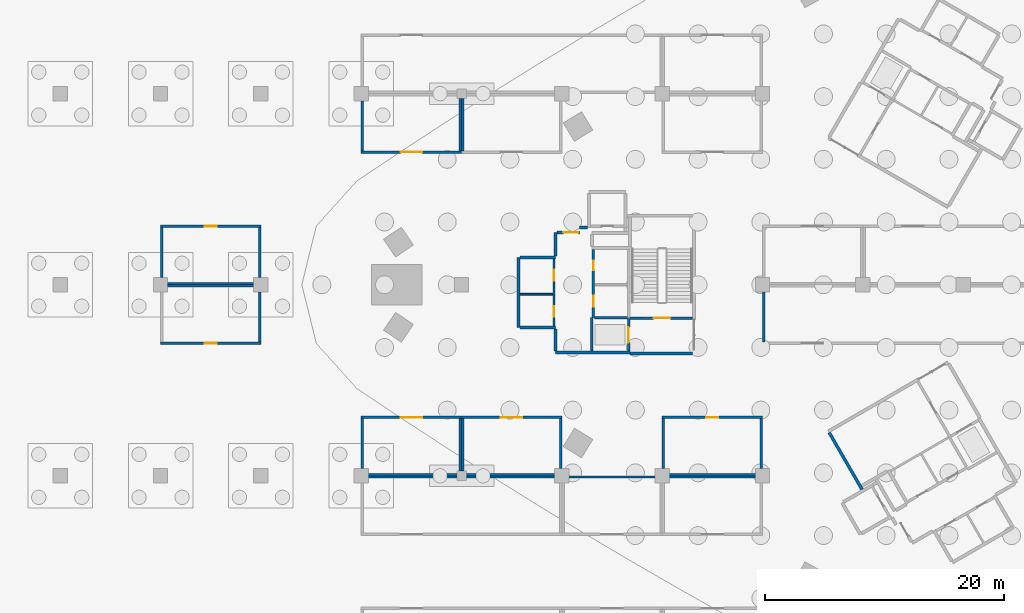
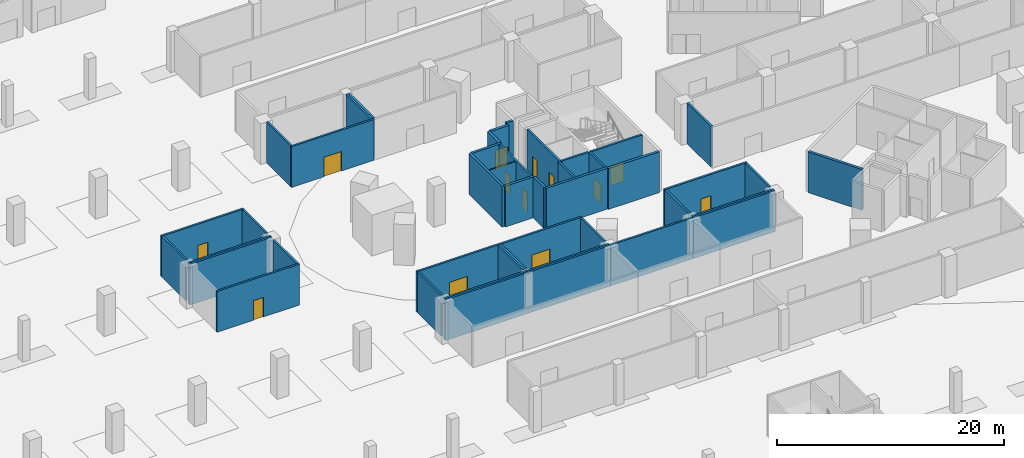
# One storey, part 13 of 46: 44 walls, 13 doors, 13 openings.
"""IFC4 building model written with IfcOpenShell, lengths in metres."""

from ifc_helpers import new_model, si_unit, direction, frame, frame_2d, origin, place, context, subcontext, project, spatial, rectangle, extrude, material, layer, layer_set, type_object, element, fill, save


model = new_model("IFC4")

# Units and contexts
model_context = context("Model", 3, precision=1e-05, world=origin(), true_north=direction((0.0, 1.0)))
body_context = subcontext(model_context, "Body", "Model", "MODEL_VIEW")
ifc_project = project(units=[si_unit("LENGTHUNIT", "METRE"), si_unit("AREAUNIT", "SQUARE_METRE"), si_unit("VOLUMEUNIT", "CUBIC_METRE"), si_unit("PLANEANGLEUNIT", "RADIAN"), si_unit("MASSUNIT", "GRAM", prefix="KILO")], contexts=[model_context])

# Site, building, storey
site_placement = place(None, origin())
site = spatial("IfcSite", under=ifc_project, at=site_placement, CompositionType="ELEMENT")
building_placement = place(site_placement, origin())
building = spatial("IfcBuilding", under=site, at=building_placement, Name="Tamra Quay Hotel Tower", CompositionType="ELEMENT")
storey_placement = place(building_placement, frame((0.0, 0.0, -12.0)))
storey = spatial("IfcBuildingStorey", under=building, at=storey_placement, Name="B3", CompositionType="ELEMENT", Elevation=-12.0)

# Walls
ifc_material_1 = material(Name="Blockwork", Category="masonry")
ifc_layer_1 = layer(ifc_material_1, 0.199951171875)
ifc_layer_set_1 = layer_set([ifc_layer_1], Name="Car park room wall 200")
wall_type_1 = type_object("IfcWallType", Name="Car park room wall 200", PredefinedType="PARTITIONING", material=ifc_layer_set_1)
wall_1_placement = place(storey_placement, frame((-38.699951171875, -16.10009765625, 0.0), z_axis=(0.0, 0.0, 1.0), x_axis=(1.0, 0.0, 0.0)))
element("IfcWall", 1, at=wall_1_placement, inside=storey, type_object=wall_type_1, Name="PW", PredefinedType="PARTITIONING", context=body_context, shape_type="SweptSolid", body=[
    extrude(rectangle(XDim=16.800048828125, YDim=0.199951171875, at=frame_2d((8.39990234375, 0.0))), origin(), (0.0, 0.0, 1.0), 4.39990234375),
])
for number, where, z_axis, x_axis, name in (
    (2, (-21.89990234375, -16.10009765625, 0.0), (0.0, 0.0, 1.0), (1.0, 0.0, 0.0), "PW"),
    (3, (-13.5, -16.10009765625, 0.0), (0.0, 0.0, 1.0), (1.0, 0.0, 0.0), "PW"),
    (4, (-38.699951171875, -15.89990234375, 0.0), (0.0, 0.0, 1.0), (1.0, 0.0, 0.0), "PW"),
):
    element("IfcWall", number, at=place(storey_placement, frame(where, z_axis=z_axis, x_axis=x_axis)), inside=storey, type_object=wall_type_1, Name=name, PredefinedType="PARTITIONING", context=body_context, shape_type="SweptSolid", body=[
        extrude(rectangle(XDim=8.39990234375, YDim=0.199951171875, at=frame_2d((4.199951171875, 0.0))), origin(), (0.0, 0.0, 1.0), 4.39990234375),
    ])

# Wall, opening, door
wall_2_placement = place(storey_placement, frame((-38.699951171875, -11.10009765625, 0.0), z_axis=(0.0, 0.0, 1.0), x_axis=(1.0, 0.0, 0.0)))
wall_2 = element("IfcWall", 5, at=wall_2_placement, inside=storey, type_object=wall_type_1, Name="PW", PredefinedType="PARTITIONING", context=body_context, shape_type="SweptSolid", body=[
    extrude(rectangle(XDim=8.39990234375, YDim=0.199951171875, at=frame_2d((4.199951171875, 0.0))), origin(), (0.0, 0.0, 1.0), 4.39990234375),
])
opening_1_placement = place(wall_2_placement, frame((3.300048828125, 0.0, 0.0)))
opening_1 = element("IfcOpeningElement", 6, at=opening_1_placement, cuts=wall_2, Name="Opening PD2", PredefinedType="OPENING", context=body_context, shape_type="SweptSolid", body=[
    extrude(rectangle(XDim=1.800048828125, YDim=2.10009765625, at=frame_2d((0.89990234375, 1.050048828125))), frame((0.0, 0.10986328125, 0.0), z_axis=(0.0, -1.0, 0.0), x_axis=(1.0, 0.0, 0.0)), (0.0, 0.0, 1.0), 0.219970703125),
])
ifc_material_2 = material(Name="Plant door 1800 x 2100")
door_type_1 = type_object("IfcDoorType", Name="Plant door 1800 x 2100", OperationType="DOUBLE_DOOR_SINGLE_SWING", PredefinedType="DOOR", material=ifc_material_2)
door_1_placement = place(opening_1_placement, origin())
door_1 = element("IfcDoor", 7, at=door_1_placement, inside=storey, type_object=door_type_1, Name="PD2", OperationType="DOUBLE_DOOR_SINGLE_SWING", OverallHeight=2.10009765625, OverallWidth=1.800048828125, PredefinedType="DOOR", context=body_context, shape_type="SweptSolid", body=[
    extrude(rectangle(XDim=1.800048828125, YDim=2.10009765625, at=frame_2d((0.89990234375, 1.050048828125))), frame((0.0, 0.02490234375, 0.0), z_axis=(0.0, -1.0, 0.0), x_axis=(1.0, 0.0, 0.0)), (0.0, 0.0, 1.0), 0.050048828125),
])
fill(opening_1, door_1)

# Walls
wall_3_placement = place(storey_placement, frame((-38.60009765625, -15.39990234375, 0.0), z_axis=(0.0, 0.0, 1.0), x_axis=(0.0, 1.0, 0.0)))
element("IfcWall", 8, at=wall_3_placement, inside=storey, type_object=wall_type_1, Name="PW", PredefinedType="PARTITIONING", context=body_context, shape_type="SweptSolid", body=[
    extrude(rectangle(XDim=4.199951171875, YDim=0.199951171875, at=frame_2d((2.10009765625, 0.0))), origin(), (0.0, 0.0, 1.0), 4.39990234375),
])
wall_4_placement = place(storey_placement, frame((-30.39990234375, -15.60009765625, 0.0), z_axis=(0.0, 0.0, 1.0), x_axis=(0.0, 1.0, 0.0)))
element("IfcWall", 9, at=wall_4_placement, inside=storey, type_object=wall_type_1, Name="PW", PredefinedType="PARTITIONING", context=body_context, shape_type="SweptSolid", body=[
    extrude(rectangle(XDim=4.400146484375, YDim=0.199951171875, at=frame_2d((2.2001953125, 0.0))), origin(), (0.0, 0.0, 1.0), 4.39990234375),
])
wall_5_placement = place(storey_placement, frame((-30.300048828125, -15.89990234375, 0.0), z_axis=(0.0, 0.0, 1.0), x_axis=(1.0, 0.0, 0.0)))
element("IfcWall", 10, at=wall_5_placement, inside=storey, type_object=wall_type_1, Name="PW", PredefinedType="PARTITIONING", context=body_context, shape_type="SweptSolid", body=[
    extrude(rectangle(XDim=8.400146484375, YDim=0.199951171875, at=frame_2d((4.2001953125, 0.0))), origin(), (0.0, 0.0, 1.0), 4.39990234375),
])

# Wall, opening, door
wall_6_placement = place(storey_placement, frame((-30.300048828125, -11.10009765625, 0.0), z_axis=(0.0, 0.0, 1.0), x_axis=(1.0, 0.0, 0.0)))
wall_6 = element("IfcWall", 11, at=wall_6_placement, inside=storey, type_object=wall_type_1, Name="PW", PredefinedType="PARTITIONING", context=body_context, shape_type="SweptSolid", body=[
    extrude(rectangle(XDim=8.400146484375, YDim=0.199951171875, at=frame_2d((4.2001953125, 0.0))), origin(), (0.0, 0.0, 1.0), 4.39990234375),
])
opening_2_placement = place(wall_6_placement, frame((3.300048828125, 0.0, 0.0)))
opening_2 = element("IfcOpeningElement", 12, at=opening_2_placement, cuts=wall_6, Name="Opening PD2", PredefinedType="OPENING", context=body_context, shape_type="SweptSolid", body=[
    extrude(rectangle(XDim=1.800048828125, YDim=2.10009765625, at=frame_2d((0.89990234375, 1.050048828125))), frame((0.0, 0.10986328125, 0.0), z_axis=(0.0, -1.0, 0.0), x_axis=(1.0, 0.0, 0.0)), (0.0, 0.0, 1.0), 0.219970703125),
])
door_2_placement = place(opening_2_placement, origin())
door_2 = element("IfcDoor", 13, at=door_2_placement, inside=storey, type_object=door_type_1, Name="PD2", OperationType="DOUBLE_DOOR_SINGLE_SWING", OverallHeight=2.10009765625, OverallWidth=1.800048828125, PredefinedType="DOOR", context=body_context, shape_type="SweptSolid", body=[
    extrude(rectangle(XDim=1.800048828125, YDim=2.10009765625, at=frame_2d((0.89990234375, 1.050048828125))), frame((0.0, 0.02490234375, 0.0), z_axis=(0.0, -1.0, 0.0), x_axis=(1.0, 0.0, 0.0)), (0.0, 0.0, 1.0), 0.050048828125),
])
fill(opening_2, door_2)

# Walls
wall_7_placement = place(storey_placement, frame((-30.199951171875, -15.60009765625, 0.0), z_axis=(0.0, 0.0, 1.0), x_axis=(0.0, 1.0, 0.0)))
element("IfcWall", 14, at=wall_7_placement, inside=storey, type_object=wall_type_1, Name="PW", PredefinedType="PARTITIONING", context=body_context, shape_type="SweptSolid", body=[
    extrude(rectangle(XDim=4.400146484375, YDim=0.199951171875, at=frame_2d((2.2001953125, 0.0))), origin(), (0.0, 0.0, 1.0), 4.39990234375),
])
wall_8_placement = place(storey_placement, frame((-22.0, -15.39990234375, 0.0), z_axis=(0.0, 0.0, 1.0), x_axis=(0.0, 1.0, 0.0)))
element("IfcWall", 15, at=wall_8_placement, inside=storey, type_object=wall_type_1, Name="PW", PredefinedType="PARTITIONING", context=body_context, shape_type="SweptSolid", body=[
    extrude(rectangle(XDim=4.199951171875, YDim=0.199951171875, at=frame_2d((2.10009765625, 0.0))), origin(), (0.0, 0.0, 1.0), 4.39990234375),
])
wall_9_placement = place(storey_placement, frame((-13.5, -15.89990234375, 0.0), z_axis=(0.0, 0.0, 1.0), x_axis=(1.0, 0.0, 0.0)))
element("IfcWall", 16, at=wall_9_placement, inside=storey, type_object=wall_type_1, Name="PW", PredefinedType="PARTITIONING", context=body_context, shape_type="SweptSolid", body=[
    extrude(rectangle(XDim=8.39990234375, YDim=0.199951171875, at=frame_2d((4.199951171875, 0.0))), origin(), (0.0, 0.0, 1.0), 4.39990234375),
])

# Wall, opening, door
wall_10_placement = place(storey_placement, frame((-13.5, -11.10009765625, 0.0), z_axis=(0.0, 0.0, 1.0), x_axis=(1.0, 0.0, 0.0)))
wall_10 = element("IfcWall", 17, at=wall_10_placement, inside=storey, type_object=wall_type_1, Name="PW", PredefinedType="PARTITIONING", context=body_context, shape_type="SweptSolid", body=[
    extrude(rectangle(XDim=8.39990234375, YDim=0.199951171875, at=frame_2d((4.199951171875, 0.0))), origin(), (0.0, 0.0, 1.0), 4.39990234375),
])
opening_3_placement = place(wall_10_placement, frame((3.699951171875, 0.0, 0.0)))
opening_3 = element("IfcOpeningElement", 18, at=opening_3_placement, cuts=wall_10, Name="Opening PD1", PredefinedType="OPENING", context=body_context, shape_type="SweptSolid", body=[
    extrude(rectangle(XDim=1.0, YDim=2.10009765625, at=frame_2d((0.5, 1.050048828125))), frame((0.0, 0.10986328125, 0.0), z_axis=(0.0, -1.0, 0.0), x_axis=(1.0, 0.0, 0.0)), (0.0, 0.0, 1.0), 0.219970703125),
])
ifc_material_3 = material(Name="Car park door 1000 x 2100")
door_type_2 = type_object("IfcDoorType", Name="Car park door 1000 x 2100", OperationType="NOTDEFINED", PredefinedType="DOOR", material=ifc_material_3)
door_3_placement = place(opening_3_placement, origin())
door_3 = element("IfcDoor", 19, at=door_3_placement, inside=storey, type_object=door_type_2, Name="PD1", OperationType="SINGLE_SWING_LEFT", OverallHeight=2.10009765625, OverallWidth=1.0, PredefinedType="DOOR", context=body_context, shape_type="SweptSolid", body=[
    extrude(rectangle(XDim=1.0, YDim=2.10009765625, at=frame_2d((0.5, 1.050048828125))), frame((0.0, 0.02490234375, 0.0), z_axis=(0.0, -1.0, 0.0), x_axis=(1.0, 0.0, 0.0)), (0.0, 0.0, 1.0), 0.050048828125),
])
fill(opening_3, door_3)

# Walls
for number, where, z_axis, x_axis, name in (
    (20, (-13.39990234375, -15.39990234375, 0.0), (0.0, 0.0, 1.0), (0.0, 1.0, 0.0), "PW"),
    (21, (-5.199951171875, -15.39990234375, 0.0), (0.0, 0.0, 1.0), (0.0, 1.0, 0.0), "PW"),
    (22, (-5.0, -4.800048828125, 0.0), (0.0, 0.0, 1.0), (0.0, 1.0, 0.0), "PW"),
):
    element("IfcWall", number, at=place(storey_placement, frame(where, z_axis=z_axis, x_axis=x_axis)), inside=storey, type_object=wall_type_1, Name=name, PredefinedType="PARTITIONING", context=body_context, shape_type="SweptSolid", body=[
        extrude(rectangle(XDim=4.199951171875, YDim=0.199951171875, at=frame_2d((2.10009765625, 0.0))), origin(), (0.0, 0.0, 1.0), 4.39990234375),
    ])

# Wall, opening, door
wall_11_placement = place(storey_placement, frame((-38.699951171875, 11.10009765625, 0.0), z_axis=(0.0, 0.0, 1.0), x_axis=(1.0, 0.0, 0.0)))
wall_11 = element("IfcWall", 23, at=wall_11_placement, inside=storey, type_object=wall_type_1, Name="PW", PredefinedType="PARTITIONING", context=body_context, shape_type="SweptSolid", body=[
    extrude(rectangle(XDim=8.39990234375, YDim=0.199951171875, at=frame_2d((4.199951171875, 0.0))), origin(), (0.0, 0.0, 1.0), 4.39990234375),
])
opening_4_placement = place(wall_11_placement, frame((3.300048828125, 0.0, 0.0)))
opening_4 = element("IfcOpeningElement", 24, at=opening_4_placement, cuts=wall_11, Name="Opening PD2", PredefinedType="OPENING", context=body_context, shape_type="SweptSolid", body=[
    extrude(rectangle(XDim=1.800048828125, YDim=2.10009765625, at=frame_2d((0.89990234375, 1.050048828125))), frame((0.0, 0.10986328125, 0.0), z_axis=(0.0, -1.0, 0.0), x_axis=(1.0, 0.0, 0.0)), (0.0, 0.0, 1.0), 0.219970703125),
])
door_4_placement = place(opening_4_placement, origin())
door_4 = element("IfcDoor", 25, at=door_4_placement, inside=storey, type_object=door_type_1, Name="PD2", OperationType="DOUBLE_DOOR_SINGLE_SWING", OverallHeight=2.10009765625, OverallWidth=1.800048828125, PredefinedType="DOOR", context=body_context, shape_type="SweptSolid", body=[
    extrude(rectangle(XDim=1.800048828125, YDim=2.10009765625, at=frame_2d((0.89990234375, 1.050048828125))), frame((0.0, 0.02490234375, 0.0), z_axis=(0.0, -1.0, 0.0), x_axis=(1.0, 0.0, 0.0)), (0.0, 0.0, 1.0), 0.050048828125),
])
fill(opening_4, door_4)

# Walls
wall_12_placement = place(storey_placement, frame((-38.60009765625, 11.199951171875, 0.0), z_axis=(0.0, 0.0, 1.0), x_axis=(0.0, 1.0, 0.0)))
element("IfcWall", 26, at=wall_12_placement, inside=storey, type_object=wall_type_1, Name="PW", PredefinedType="PARTITIONING", context=body_context, shape_type="SweptSolid", body=[
    extrude(rectangle(XDim=4.199951171875, YDim=0.199951171875, at=frame_2d((2.10009765625, 0.0))), origin(), (0.0, 0.0, 1.0), 4.39990234375),
])
for number, where, z_axis, x_axis, name in (
    (27, (-30.39990234375, 11.199951171875, 0.0), (0.0, 0.0, 1.0), (0.0, 1.0, 0.0), "PW"),
    (28, (-30.199951171875, 11.199951171875, 0.0), (0.0, 0.0, 1.0), (0.0, 1.0, 0.0), "PW"),
):
    element("IfcWall", number, at=place(storey_placement, frame(where, z_axis=z_axis, x_axis=x_axis)), inside=storey, type_object=wall_type_1, Name=name, PredefinedType="PARTITIONING", context=body_context, shape_type="SweptSolid", body=[
        extrude(rectangle(XDim=4.400146484375, YDim=0.199951171875, at=frame_2d((2.2001953125, 0.0))), origin(), (0.0, 0.0, 1.0), 4.39990234375),
    ])

# Wall, opening, door
wall_13_placement = place(storey_placement, frame((-55.5, -4.89990234375, 0.0), z_axis=(0.0, 0.0, 1.0), x_axis=(1.0, 0.0, 0.0)))
wall_13 = element("IfcWall", 29, at=wall_13_placement, inside=storey, type_object=wall_type_1, Name="PW", PredefinedType="PARTITIONING", context=body_context, shape_type="SweptSolid", body=[
    extrude(rectangle(XDim=8.39990234375, YDim=0.199951171875, at=frame_2d((4.199951171875, 0.0))), origin(), (0.0, 0.0, 1.0), 4.39990234375),
])
opening_5_placement = place(wall_13_placement, frame((3.699951171875, 0.0, 0.0)))
opening_5 = element("IfcOpeningElement", 30, at=opening_5_placement, cuts=wall_13, Name="Opening PD1", PredefinedType="OPENING", context=body_context, shape_type="SweptSolid", body=[
    extrude(rectangle(XDim=1.0, YDim=2.10009765625, at=frame_2d((0.5, 1.050048828125))), frame((0.0, 0.10986328125, 0.0), z_axis=(0.0, -1.0, 0.0), x_axis=(1.0, 0.0, 0.0)), (0.0, 0.0, 1.0), 0.219970703125),
])
door_5_placement = place(opening_5_placement, origin())
door_5 = element("IfcDoor", 31, at=door_5_placement, inside=storey, type_object=door_type_2, Name="PD1", OperationType="SINGLE_SWING_LEFT", OverallHeight=2.10009765625, OverallWidth=1.0, PredefinedType="DOOR", context=body_context, shape_type="SweptSolid", body=[
    extrude(rectangle(XDim=1.0, YDim=2.10009765625, at=frame_2d((0.5, 1.050048828125))), frame((0.0, 0.02490234375, 0.0), z_axis=(0.0, -1.0, 0.0), x_axis=(1.0, 0.0, 0.0)), (0.0, 0.0, 1.0), 0.050048828125),
])
fill(opening_5, door_5)

# Walls
wall_14_placement = place(storey_placement, frame((-55.5, -0.10009765625, 0.0), z_axis=(0.0, 0.0, 1.0), x_axis=(1.0, 0.0, 0.0)))
element("IfcWall", 32, at=wall_14_placement, inside=storey, type_object=wall_type_1, Name="PW", PredefinedType="PARTITIONING", context=body_context, shape_type="SweptSolid", body=[
    extrude(rectangle(XDim=8.39990234375, YDim=0.199951171875, at=frame_2d((4.199951171875, 0.0))), origin(), (0.0, 0.0, 1.0), 4.39990234375),
])
wall_15_placement = place(storey_placement, frame((-47.199951171875, -4.800048828125, 0.0), z_axis=(0.0, 0.0, 1.0), x_axis=(0.0, 1.0, 0.0)))
element("IfcWall", 33, at=wall_15_placement, inside=storey, type_object=wall_type_1, Name="PW", PredefinedType="PARTITIONING", context=body_context, shape_type="SweptSolid", body=[
    extrude(rectangle(XDim=4.199951171875, YDim=0.199951171875, at=frame_2d((2.10009765625, 0.0))), origin(), (0.0, 0.0, 1.0), 4.39990234375),
])
wall_16_placement = place(storey_placement, frame((-55.5, 0.10009765625, 0.0), z_axis=(0.0, 0.0, 1.0), x_axis=(1.0, 0.0, 0.0)))
element("IfcWall", 34, at=wall_16_placement, inside=storey, type_object=wall_type_1, Name="PW", PredefinedType="PARTITIONING", context=body_context, shape_type="SweptSolid", body=[
    extrude(rectangle(XDim=8.39990234375, YDim=0.199951171875, at=frame_2d((4.199951171875, 0.0))), origin(), (0.0, 0.0, 1.0), 4.39990234375),
])

# Wall, opening, door
wall_17_placement = place(storey_placement, frame((-55.5, 4.89990234375, 0.0), z_axis=(0.0, 0.0, 1.0), x_axis=(1.0, 0.0, 0.0)))
wall_17 = element("IfcWall", 35, at=wall_17_placement, inside=storey, type_object=wall_type_1, Name="PW", PredefinedType="PARTITIONING", context=body_context, shape_type="SweptSolid", body=[
    extrude(rectangle(XDim=8.39990234375, YDim=0.199951171875, at=frame_2d((4.199951171875, 0.0))), origin(), (0.0, 0.0, 1.0), 4.39990234375),
])
opening_6_placement = place(wall_17_placement, frame((3.699951171875, 0.0, 0.0)))
opening_6 = element("IfcOpeningElement", 36, at=opening_6_placement, cuts=wall_17, Name="Opening PD1", PredefinedType="OPENING", context=body_context, shape_type="SweptSolid", body=[
    extrude(rectangle(XDim=1.0, YDim=2.10009765625, at=frame_2d((0.5, 1.050048828125))), frame((0.0, 0.10986328125, 0.0), z_axis=(0.0, -1.0, 0.0), x_axis=(1.0, 0.0, 0.0)), (0.0, 0.0, 1.0), 0.219970703125),
])
door_6_placement = place(opening_6_placement, origin())
door_6 = element("IfcDoor", 37, at=door_6_placement, inside=storey, type_object=door_type_2, Name="PD1", OperationType="SINGLE_SWING_LEFT", OverallHeight=2.10009765625, OverallWidth=1.0, PredefinedType="DOOR", context=body_context, shape_type="SweptSolid", body=[
    extrude(rectangle(XDim=1.0, YDim=2.10009765625, at=frame_2d((0.5, 1.050048828125))), frame((0.0, 0.02490234375, 0.0), z_axis=(0.0, -1.0, 0.0), x_axis=(1.0, 0.0, 0.0)), (0.0, 0.0, 1.0), 0.050048828125),
])
fill(opening_6, door_6)

# Walls
for number, where, z_axis, x_axis, name in (
    (38, (-55.39990234375, 0.60009765625, 0.0), (0.0, 0.0, 1.0), (0.0, 1.0, 0.0), "PW"),
    (39, (-47.199951171875, 0.60009765625, 0.0), (0.0, 0.0, 1.0), (0.0, 1.0, 0.0), "PW"),
):
    element("IfcWall", number, at=place(storey_placement, frame(where, z_axis=z_axis, x_axis=x_axis)), inside=storey, type_object=wall_type_1, Name=name, PredefinedType="PARTITIONING", context=body_context, shape_type="SweptSolid", body=[
        extrude(rectangle(XDim=4.199951171875, YDim=0.199951171875, at=frame_2d((2.10009765625, 0.0))), origin(), (0.0, 0.0, 1.0), 4.39990234375),
    ])

# Wall, openings, doors
ifc_material_4 = material(Name="Concrete M70", Category="concrete")
ifc_layer_2 = layer(ifc_material_4, 0.199951171875)
ifc_layer_set_2 = layer_set([ifc_layer_2], Name="Concrete M70 core wall 200")
wall_type_2 = type_object("IfcWallType", Name="Concrete M70 core wall 200", PredefinedType="SHEAR", material=ifc_layer_set_2)
wall_18_placement = place(storey_placement, frame((-22.5625, -3.448974609375, 0.0), z_axis=(0.0, 0.0, 1.0), x_axis=(0.0, 1.0, 0.0)))
wall_18 = element("IfcWall", 40, at=wall_18_placement, inside=storey, type_object=wall_type_2, Name="CW2", PredefinedType="SHEAR", context=body_context, shape_type="SweptSolid", body=[
    extrude(rectangle(XDim=5.597900390625, YDim=0.199951171875, at=frame_2d((2.798828125, 0.0))), origin(), (0.0, 0.0, 1.0), 4.39990234375),
])
opening_7_placement = place(wall_18_placement, frame((3.798828125, 0.0, 0.0)))
opening_7 = element("IfcOpeningElement", 41, at=opening_7_placement, cuts=wall_18, Name="Opening D2", PredefinedType="OPENING", context=body_context, shape_type="SweptSolid", body=[
    extrude(rectangle(XDim=0.89990234375, YDim=2.10009765625, at=frame_2d((0.449951171875, 1.050048828125))), frame((0.0, 0.10986328125, 0.0), z_axis=(0.0, -1.0, 0.0), x_axis=(1.0, 0.0, 0.0)), (0.0, 0.0, 1.0), 0.219970703125),
])
opening_8_placement = place(wall_18_placement, frame((0.748779296875, 0.0, 0.0)))
opening_8 = element("IfcOpeningElement", 42, at=opening_8_placement, cuts=wall_18, Name="Opening D2", PredefinedType="OPENING", context=body_context, shape_type="SweptSolid", body=[
    extrude(rectangle(XDim=0.89990234375, YDim=2.10009765625, at=frame_2d((0.449951171875, 1.050048828125))), frame((0.0, 0.10986328125, 0.0), z_axis=(0.0, -1.0, 0.0), x_axis=(1.0, 0.0, 0.0)), (0.0, 0.0, 1.0), 0.219970703125),
])
ifc_material_5 = material(Name="Core door D2 900x2100 LH")
door_type_3 = type_object("IfcDoorType", Name="Core door D2 900x2100 LH", OperationType="NOTDEFINED", PredefinedType="DOOR", material=ifc_material_5)
door_7_placement = place(opening_7_placement, origin())
door_7 = element("IfcDoor", 43, at=door_7_placement, inside=storey, type_object=door_type_3, Name="D2", OperationType="SINGLE_SWING_LEFT", OverallHeight=2.10009765625, OverallWidth=0.89990234375, PredefinedType="DOOR", context=body_context, shape_type="SweptSolid", body=[
    extrude(rectangle(XDim=0.89990234375, YDim=2.10009765625, at=frame_2d((0.449951171875, 1.050048828125))), frame((0.0, 0.02490234375, 0.0), z_axis=(0.0, -1.0, 0.0), x_axis=(1.0, 0.0, 0.0)), (0.0, 0.0, 1.0), 0.050048828125),
])
fill(opening_7, door_7)
ifc_material_6 = material(Name="Core door D2 900x2100 RH")
door_type_4 = type_object("IfcDoorType", Name="Core door D2 900x2100 RH", OperationType="NOTDEFINED", PredefinedType="DOOR", material=ifc_material_6)
door_8_placement = place(opening_8_placement, origin())
door_8 = element("IfcDoor", 44, at=door_8_placement, inside=storey, type_object=door_type_4, Name="D2", OperationType="SINGLE_SWING_RIGHT", OverallHeight=2.10009765625, OverallWidth=0.89990234375, PredefinedType="DOOR", context=body_context, shape_type="SweptSolid", body=[
    extrude(rectangle(XDim=0.89990234375, YDim=2.10009765625, at=frame_2d((0.449951171875, 1.050048828125))), frame((0.0, 0.02490234375, 0.0), z_axis=(0.0, -1.0, 0.0), x_axis=(1.0, 0.0, 0.0)), (0.0, 0.0, 1.0), 0.050048828125),
])
fill(opening_8, door_8)

wall_19_placement = place(storey_placement, frame((-19.26220703125, 2.948974609375, 0.0), z_axis=(0.0, 0.0, 1.0), x_axis=(0.0, -1.0, 0.0)))
wall_19 = element("IfcWall", 45, at=wall_19_placement, inside=storey, type_object=wall_type_2, Name="CW2", PredefinedType="SHEAR", context=body_context, shape_type="SweptSolid", body=[
    extrude(rectangle(XDim=5.698974609375, YDim=0.199951171875, at=frame_2d((2.849609375, 0.0))), origin(), (0.0, 0.0, 1.0), 4.39990234375),
])
opening_9_placement = place(wall_19_placement, frame((0.948974609375, 0.0, 0.0)))
opening_9 = element("IfcOpeningElement", 46, at=opening_9_placement, cuts=wall_19, Name="Opening D3", PredefinedType="OPENING", context=body_context, shape_type="SweptSolid", body=[
    extrude(rectangle(XDim=0.800048828125, YDim=2.10009765625, at=frame_2d((0.39990234375, 1.050048828125))), frame((0.0, 0.10986328125, 0.0), z_axis=(0.0, -1.0, 0.0), x_axis=(1.0, 0.0, 0.0)), (0.0, 0.0, 1.0), 0.219970703125),
])
opening_10_placement = place(wall_19_placement, frame((3.8740234375, 0.0, 0.0)))
opening_10 = element("IfcOpeningElement", 47, at=opening_10_placement, cuts=wall_19, Name="Opening D2", PredefinedType="OPENING", context=body_context, shape_type="SweptSolid", body=[
    extrude(rectangle(XDim=0.89990234375, YDim=2.10009765625, at=frame_2d((0.449951171875, 1.050048828125))), frame((0.0, 0.10986328125, 0.0), z_axis=(0.0, -1.0, 0.0), x_axis=(1.0, 0.0, 0.0)), (0.0, 0.0, 1.0), 0.219970703125),
])
door_9_placement = place(opening_10_placement, origin())
door_9 = element("IfcDoor", 48, at=door_9_placement, inside=storey, type_object=door_type_4, Name="D2", OperationType="SINGLE_SWING_RIGHT", OverallHeight=2.10009765625, OverallWidth=0.89990234375, PredefinedType="DOOR", context=body_context, shape_type="SweptSolid", body=[
    extrude(rectangle(XDim=0.89990234375, YDim=2.10009765625, at=frame_2d((0.449951171875, 1.050048828125))), frame((0.0, 0.02490234375, 0.0), z_axis=(0.0, -1.0, 0.0), x_axis=(1.0, 0.0, 0.0)), (0.0, 0.0, 1.0), 0.050048828125),
])
fill(opening_10, door_9)
ifc_material_7 = material(Name="Core door D3 800x2100 LH")
door_type_5 = type_object("IfcDoorType", Name="Core door D3 800x2100 LH", OperationType="NOTDEFINED", PredefinedType="DOOR", material=ifc_material_7)
door_10_placement = place(opening_9_placement, origin())
door_10 = element("IfcDoor", 49, at=door_10_placement, inside=storey, type_object=door_type_5, Name="D3", OperationType="SINGLE_SWING_LEFT", OverallHeight=2.10009765625, OverallWidth=0.800048828125, PredefinedType="DOOR", context=body_context, shape_type="SweptSolid", body=[
    extrude(rectangle(XDim=0.800048828125, YDim=2.10009765625, at=frame_2d((0.39990234375, 1.050048828125))), frame((0.0, 0.02490234375, 0.0), z_axis=(0.0, -1.0, 0.0), x_axis=(1.0, 0.0, 0.0)), (0.0, 0.0, 1.0), 0.050048828125),
])
fill(opening_9, door_10)

# Wall, opening, door
wall_20_placement = place(storey_placement, frame((-10.96337890625, -2.800048828125, 0.0), z_axis=(0.0, 0.0, 1.0), x_axis=(-1.0, 0.0, 0.0)))
wall_20 = element("IfcWall", 50, at=wall_20_placement, inside=storey, type_object=wall_type_2, Name="CW2", PredefinedType="SHEAR", context=body_context, shape_type="SweptSolid", body=[
    extrude(rectangle(XDim=5.2509765625, YDim=0.199951171875, at=frame_2d((2.62548828125, 0.0))), origin(), (0.0, 0.0, 1.0), 4.39990234375),
])
opening_11_placement = place(wall_20_placement, frame((1.84912109375, 0.0, 0.0)))
opening_11 = element("IfcOpeningElement", 51, at=opening_11_placement, cuts=wall_20, Name="Opening FD2", PredefinedType="OPENING", context=body_context, shape_type="SweptSolid", body=[
    extrude(rectangle(XDim=1.39990234375, YDim=2.10009765625, at=frame_2d((0.699951171875, 1.050048828125))), frame((0.0, 0.10986328125, 0.0), z_axis=(0.0, -1.0, 0.0), x_axis=(1.0, 0.0, 0.0)), (0.0, 0.0, 1.0), 0.219970703125),
])
ifc_material_8 = material(Name="Core door FD2 1400x2100 RH")
door_type_6 = type_object("IfcDoorType", Name="Core door FD2 1400x2100 RH", OperationType="NOTDEFINED", PredefinedType="DOOR", material=ifc_material_8)
door_11_placement = place(opening_11_placement, origin())
door_11 = element("IfcDoor", 52, at=door_11_placement, inside=storey, type_object=door_type_6, Name="FD2", OperationType="SINGLE_SWING_RIGHT", OverallHeight=2.10009765625, OverallWidth=1.39990234375, PredefinedType="DOOR", context=body_context, shape_type="SweptSolid", body=[
    extrude(rectangle(XDim=1.39990234375, YDim=2.10009765625, at=frame_2d((0.699951171875, 1.050048828125))), frame((0.0, 0.02490234375, 0.0), z_axis=(0.0, -1.0, 0.0), x_axis=(1.0, 0.0, 0.0)), (0.0, 0.0, 1.0), 0.050048828125),
])
fill(opening_11, door_11)

# Wall
wall_21_placement = place(storey_placement, frame((-19.162109375, -2.75, 0.0), z_axis=(0.0, 0.0, 1.0), x_axis=(1.0, 0.0, 0.0)))
element("IfcWall", 53, at=wall_21_placement, inside=storey, type_object=wall_type_2, Name="CW2", PredefinedType="SHEAR", context=body_context, shape_type="SweptSolid", body=[
    extrude(rectangle(XDim=2.749755859375, YDim=0.199951171875, at=frame_2d((1.375, 0.0))), origin(), (0.0, 0.0, 1.0), 4.39990234375),
])

# Wall, opening, door
wall_22_placement = place(storey_placement, frame((-16.312255859375, -2.80712890625, 0.0), z_axis=(0.0, 0.0, 1.0), x_axis=(0.0, -1.0, 0.0)))
wall_22 = element("IfcWall", 54, at=wall_22_placement, inside=storey, type_object=wall_type_2, Name="CW2", PredefinedType="SHEAR", context=body_context, shape_type="SweptSolid", body=[
    extrude(rectangle(XDim=2.741943359375, YDim=0.199951171875, at=frame_2d((1.37109375, 0.0))), origin(), (0.0, 0.0, 1.0), 4.39990234375),
])
opening_12_placement = place(wall_22_placement, frame((0.742919921875, 0.0, 0.0)))
opening_12 = element("IfcOpeningElement", 55, at=opening_12_placement, cuts=wall_22, Name="Opening LD", PredefinedType="OPENING", context=body_context, shape_type="SweptSolid", body=[
    extrude(rectangle(XDim=1.300048828125, YDim=2.10009765625, at=frame_2d((0.64990234375, 1.050048828125))), frame((0.0, 0.10986328125, 0.0), z_axis=(0.0, -1.0, 0.0), x_axis=(1.0, 0.0, 0.0)), (0.0, 0.0, 1.0), 0.219970703125),
])
ifc_material_9 = material(Name="Landing door LD 1300 sliding to right")
door_type_7 = type_object("IfcDoorType", Name="Landing door LD 1300 sliding to right", OperationType="NOTDEFINED", PredefinedType="DOOR", material=ifc_material_9)
door_12_placement = place(opening_12_placement, origin())
door_12 = element("IfcDoor", 56, at=door_12_placement, inside=storey, type_object=door_type_7, Name="LD", OperationType="SLIDING_TO_RIGHT", OverallHeight=2.10009765625, OverallWidth=1.300048828125, PredefinedType="DOOR", context=body_context, shape_type="SweptSolid", body=[
    extrude(rectangle(XDim=1.300048828125, YDim=2.10009765625, at=frame_2d((0.64990234375, 1.050048828125))), frame((0.0, 0.02490234375, 0.0), z_axis=(0.0, -1.0, 0.0), x_axis=(1.0, 0.0, 0.0)), (0.0, 0.0, 1.0), 0.050048828125),
])
fill(opening_12, door_12)

# Walls
wall_23_placement = place(storey_placement, frame((-19.412353515625, -5.549072265625, 0.0), z_axis=(0.0, 0.0, 1.0), x_axis=(0.0, 1.0, 0.0)))
element("IfcWall", 57, at=wall_23_placement, inside=storey, type_object=wall_type_2, Name="CW2", PredefinedType="SHEAR", context=body_context, shape_type="SweptSolid", body=[
    extrude(rectangle(XDim=2.799072265625, YDim=0.199951171875, at=frame_2d((1.3994140625, 0.0))), origin(), (0.0, 0.0, 1.0), 4.39990234375),
])
ifc_layer_3 = layer(ifc_material_4, 0.25)
ifc_layer_set_3 = layer_set([ifc_layer_3], Name="Concrete M70 core wall 250")
wall_type_3 = type_object("IfcWallType", Name="Concrete M70 core wall 250", PredefinedType="SHEAR", material=ifc_layer_set_3)
wall_24_placement = place(storey_placement, frame((-16.187255859375, -5.675048828125, 0.0), z_axis=(0.0, 0.0, 1.0), x_axis=(-1.0, 0.0, 0.0)))
element("IfcWall", 58, at=wall_24_placement, inside=storey, type_object=wall_type_3, Name="CW1", PredefinedType="SHEAR", context=body_context, shape_type="SweptSolid", body=[
    extrude(rectangle(XDim=6.25, YDim=0.25, at=frame_2d((3.125, 0.0))), origin(), (0.0, 0.0, 1.0), 4.39990234375),
])
wall_25_placement = place(storey_placement, frame((-25.537353515625, -3.574951171875, 0.0), z_axis=(0.0, 0.0, 1.0), x_axis=(0.0, 1.0, 0.0)))
element("IfcWall", 59, at=wall_25_placement, inside=storey, type_object=wall_type_3, Name="CW1", PredefinedType="SHEAR", context=body_context, shape_type="SweptSolid", body=[
    extrude(rectangle(XDim=5.849853515625, YDim=0.25, at=frame_2d((2.9248046875, 0.0))), origin(), (0.0, 0.0, 1.0), 4.39990234375),
])
wall_26_placement = place(storey_placement, frame((-10.962646484375, -5.77490234375, 0.0), z_axis=(0.0, 0.0, 1.0), x_axis=(-1.0, 0.0, 0.0)))
element("IfcWall", 60, at=wall_26_placement, inside=storey, type_object=wall_type_3, Name="CW1", PredefinedType="SHEAR", context=body_context, shape_type="SweptSolid", body=[
    extrude(rectangle(XDim=5.224609375, YDim=0.25, at=frame_2d((2.6123046875, 0.0))), origin(), (0.0, 0.0, 1.0), 4.39990234375),
])
for number, where, z_axis, x_axis, name in (
    (61, (-22.437255859375, -3.574951171875, 0.0), (0.0, 0.0, 1.0), (-1.0, 0.0, 0.0), "CW1"),
    (62, (-25.411865234375, 2.27490234375, 0.0), (0.0, 0.0, 1.0), (1.0, 0.0, 0.0), "CW1"),
):
    element("IfcWall", number, at=place(storey_placement, frame(where, z_axis=z_axis, x_axis=x_axis)), inside=storey, type_object=wall_type_3, Name=name, PredefinedType="SHEAR", context=body_context, shape_type="SweptSolid", body=[
        extrude(rectangle(XDim=2.974609375, YDim=0.25, at=frame_2d((1.4873046875, 0.0))), origin(), (0.0, 0.0, 1.0), 4.39990234375),
    ])
wall_27_placement = place(storey_placement, frame((-22.437255859375, 2.400390625, 0.0), z_axis=(0.0, 0.0, 1.0), x_axis=(0.0, 1.0, 0.0)))
element("IfcWall", 63, at=wall_27_placement, inside=storey, type_object=wall_type_3, Name="CW1", PredefinedType="SHEAR", context=body_context, shape_type="SweptSolid", body=[
    extrude(rectangle(XDim=1.974609375, YDim=0.25, at=frame_2d((0.9873046875, 0.0))), origin(), (0.0, 0.0, 1.0), 4.39990234375),
])
wall_28_placement = place(storey_placement, frame((-22.437255859375, -5.549560546875, 0.0), z_axis=(0.0, 0.0, 1.0), x_axis=(0.0, 1.0, 0.0)))
element("IfcWall", 64, at=wall_28_placement, inside=storey, type_object=wall_type_3, Name="CW1", PredefinedType="SHEAR", context=body_context, shape_type="SweptSolid", body=[
    extrude(rectangle(XDim=1.84912109375, YDim=0.25, at=frame_2d((0.924560546875, 0.0))), origin(), (0.0, 0.0, 1.0), 4.39990234375),
])

# Wall, opening, door
wall_29_placement = place(storey_placement, frame((-22.311767578125, 4.375, 0.0), z_axis=(0.0, 0.0, 1.0), x_axis=(1.0, 0.0, 0.0)))
wall_29 = element("IfcWall", 65, at=wall_29_placement, inside=storey, type_object=wall_type_3, Name="CW1", PredefinedType="SHEAR", context=body_context, shape_type="SweptSolid", body=[
    extrude(rectangle(XDim=1.864501953125, YDim=0.25, at=frame_2d((0.93212890625, 0.0))), origin(), (0.0, 0.0, 1.0), 4.39990234375),
])
opening_13_placement = place(wall_29_placement, frame((0.53466796875, 0.0, 0.0)))
opening_13 = element("IfcOpeningElement", 66, at=opening_13_placement, cuts=wall_29, Name="Opening FD3", PredefinedType="OPENING", context=body_context, shape_type="SweptSolid", body=[
    extrude(rectangle(XDim=1.25, YDim=2.10009765625, at=frame_2d((0.625, 1.050048828125))), frame((0.0, 0.135009765625, 0.0), z_axis=(0.0, -1.0, 0.0), x_axis=(1.0, 0.0, 0.0)), (0.0, 0.0, 1.0), 0.27001953125),
])
ifc_material_10 = material(Name="Core door FD3 1250x2100 LH")
door_type_8 = type_object("IfcDoorType", Name="Core door FD3 1250x2100 LH", OperationType="NOTDEFINED", PredefinedType="DOOR", material=ifc_material_10)
door_13_placement = place(opening_13_placement, origin())
door_13 = element("IfcDoor", 67, at=door_13_placement, inside=storey, type_object=door_type_8, Name="FD3", OperationType="SINGLE_SWING_LEFT", OverallHeight=2.10009765625, OverallWidth=1.25, PredefinedType="DOOR", context=body_context, shape_type="SweptSolid", body=[
    extrude(rectangle(XDim=1.25, YDim=2.10009765625, at=frame_2d((0.625, 1.050048828125))), frame((0.0, 0.02490234375, 0.0), z_axis=(0.0, -1.0, 0.0), x_axis=(1.0, 0.0, 0.0)), (0.0, 0.0, 1.0), 0.050048828125),
])
fill(opening_13, door_13)

# Walls
wall_30_placement = place(storey_placement, frame((-20.447265625, 4.784912109375, 0.0), z_axis=(0.0, 0.0, 1.0), x_axis=(1.0, 0.0, 0.0)))
element("IfcWall", 68, at=wall_30_placement, inside=storey, type_object=wall_type_3, Name="CW1", PredefinedType="SHEAR", context=body_context, shape_type="SweptSolid", body=[
    extrude(rectangle(XDim=0.6845703125, YDim=0.25, at=frame_2d((0.34228515625, 0.0))), origin(), (0.0, 0.0, 1.0), 4.39990234375),
])
wall_31_placement = place(storey_placement, frame((3.23486328125, -17.15283203125, 0.0), z_axis=(0.0, 0.0, 1.0), x_axis=(-0.500008851346, 0.866020293397, 0.0)))
element("IfcWall", 69, at=wall_31_placement, inside=storey, type_object=wall_type_3, Name="CW1", PredefinedType="SHEAR", context=body_context, shape_type="SweptSolid", body=[
    extrude(rectangle(XDim=5.509765625, YDim=0.25, at=frame_2d((2.7548828125, 0.0))), origin(), (0.0, 0.0, 1.0), 4.39990234375),
])
ifc_layer_4 = layer(ifc_material_1, 0.14990234375)
ifc_layer_set_4 = layer_set([ifc_layer_4], Name="Core partition block 150")
wall_type_4 = type_object("IfcWallType", Name="Core partition block 150", PredefinedType="PARTITIONING", material=ifc_layer_set_4)
wall_32_placement = place(storey_placement, frame((-22.6630859375, -0.800048828125, 0.0), z_axis=(0.0, 0.0, 1.0), x_axis=(-1.0, 0.0, 0.0)))
element("IfcWall", 70, at=wall_32_placement, inside=storey, type_object=wall_type_4, Name="CP1", PredefinedType="PARTITIONING", context=body_context, shape_type="SweptSolid", body=[
    extrude(rectangle(XDim=2.74853515625, YDim=0.14990234375, at=frame_2d((1.374267578125, 0.0))), origin(), (0.0, 0.0, 1.0), 4.39990234375),
])

save(model, "model.ifc")
